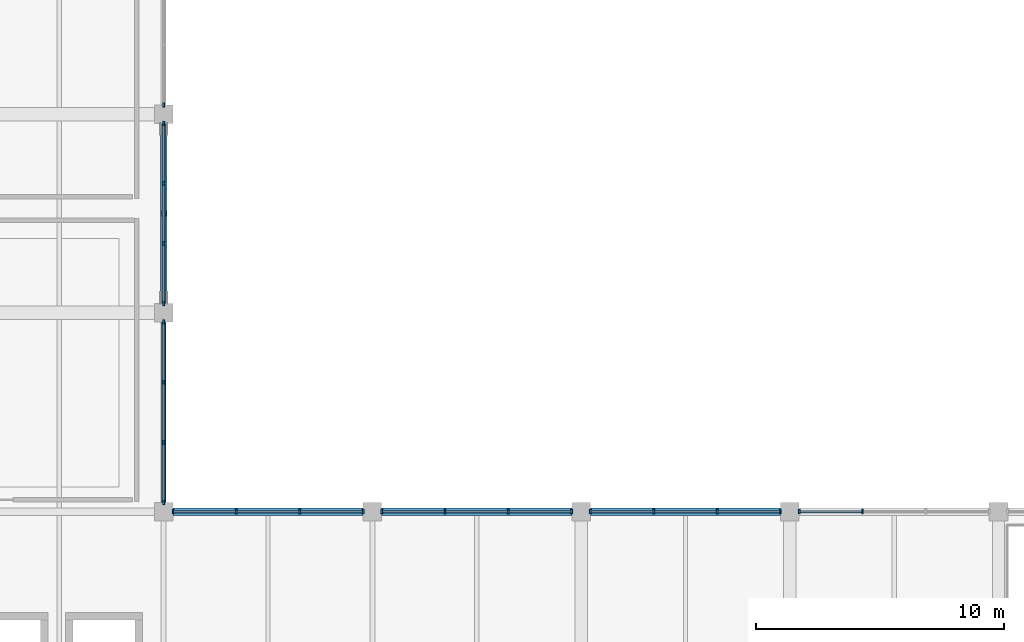
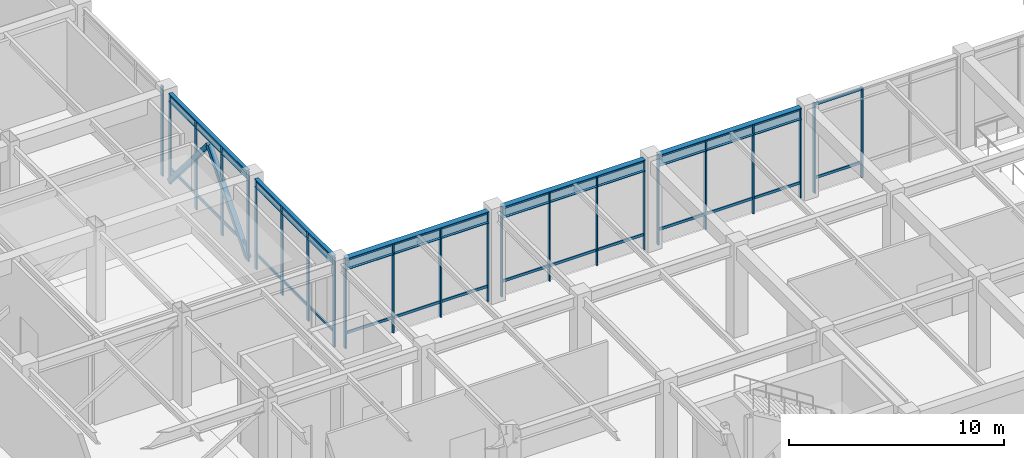
# One storey, part 27 of 79: 57 members, 5 beams, 7 elements without a shape of their own.
"""IFC4 building model written with IfcOpenShell, lengths in metres."""

from ifc_helpers import new_model, si_unit, direction, frame, origin, origin_2d, place, context, subcontext, project, spatial, rectangle, hollow_rectangle, i_section, extrude, material, layer, layer_set, material_profile, profile_set, type_object, element, aggregate, save


model = new_model("IFC4")

# Units and contexts
model_context = context("Model", 3, precision=1e-05, world=origin(), true_north=direction((0.0, 1.0)))
body_context = subcontext(model_context, "Body", "Model", "MODEL_VIEW")
ifc_project = project(units=[si_unit("LENGTHUNIT", "METRE"), si_unit("AREAUNIT", "SQUARE_METRE"), si_unit("VOLUMEUNIT", "CUBIC_METRE"), si_unit("PLANEANGLEUNIT", "RADIAN"), si_unit("MASSUNIT", "GRAM", prefix="KILO")], contexts=[model_context])

# Site, building, storey
site_placement = place(None, origin())
site = spatial("IfcSite", under=ifc_project, at=site_placement, CompositionType="ELEMENT")
building_placement = place(site_placement, origin())
building = spatial("IfcBuilding", under=site, at=building_placement, Name="Naruveol Harbour Congress Hotel", CompositionType="ELEMENT")
storey_placement = place(building_placement, frame((0.0, 0.0, 6.0)))
storey = spatial("IfcBuildingStorey", under=building, at=storey_placement, Name="L01", CompositionType="ELEMENT", Elevation=6.0)

# Beams
ifc_material_1 = material(Name="Steel SN490", Category="steel")
ifc_material_profile_1 = material_profile(ifc_material_1, i_section(OverallWidth=0.300048828125, OverallDepth=0.64990234375, WebThickness=0.012939453125, FlangeThickness=0.02392578125, at=origin_2d()), Name="H-650x300x13x24")
ifc_profile_set_1 = profile_set([ifc_material_profile_1], Name="Steel SN490")
beam_type_1 = type_object("IfcBeamType", Name="STEEL ATRIUM TIE GIRDER H650", PredefinedType="BEAM", material=ifc_profile_set_1)
for number, where, z_axis, x_axis, name in (
    (1, (67.571044921875, 32.0, 4.824951171875), (1.0, 0.0, 0.0), (0.0, 1.0, 0.0), "Floor girder L02 SG2"),
    (2, (75.970947265625, 32.0, 4.824951171875), (1.0, 0.0, 0.0), (0.0, 1.0, 0.0), "Floor girder L02 SG2"),
    (3, (84.37109375, 32.0, 4.824951171875), (1.0, 0.0, 0.0), (0.0, 1.0, 0.0), "Floor girder L02 SG2"),
):
    element("IfcBeam", number, at=place(storey_placement, frame(where, z_axis=z_axis, x_axis=x_axis)), inside=storey, type_object=beam_type_1, Name=name, PredefinedType="BEAM", context=body_context, shape_type="SweptSolid", body=[
        extrude(i_section(OverallWidth=0.300048828125, OverallDepth=0.64990234375, WebThickness=0.012939453125, FlangeThickness=0.02392578125, at=origin_2d()), origin(), (0.0, 0.0, 1.0), 7.657958984375),
    ])

# Members
ifc_material_2 = material(Name="Steel SN490", Category="steel")
ifc_material_profile_2 = material_profile(ifc_material_2, hollow_rectangle(XDim=0.25, YDim=0.25, WallThickness=0.011962890625, at=origin_2d()), Name="SHS-250x250x12")
ifc_profile_set_2 = profile_set([ifc_material_profile_2], Name="Steel SN490")
member_type_1 = type_object("IfcMemberType", Name="STEEL LATERAL FRAME BRACE SHS250", PredefinedType="BRACE", material=ifc_profile_set_2)
for number, where, z_axis, x_axis, name in (
    (4, (67.199951171875, 40.364990234375, 0.159912109375), (0.0, 0.650866970807, 0.759191798107), (-1.0, 0.0, 0.0), "Lateral chevron brace L01 #15A"),
    (5, (67.199951171875, 47.635009765625, 0.159912109375), (0.0, -0.650866970807, 0.759191798107), (1.0, 0.0, 0.0), "Lateral chevron brace L01 #15B"),
):
    element("IfcMember", number, at=place(storey_placement, frame(where, z_axis=z_axis, x_axis=x_axis)), inside=storey, type_object=member_type_1, Name=name, PredefinedType="BRACE", context=body_context, shape_type="SweptSolid", body=[
        extrude(hollow_rectangle(XDim=0.25, YDim=0.25, WallThickness=0.011962890625, at=origin_2d()), origin(), (0.0, 0.0, 1.0), 5.5849609375),
    ])

# Beams
ifc_material_3 = material(Name="Steel SN490", Category="steel")
ifc_material_profile_3 = material_profile(ifc_material_3, i_section(OverallWidth=0.199951171875, OverallDepth=0.449951171875, WebThickness=0.009033203125, FlangeThickness=0.013916015625, at=origin_2d()), Name="H-450x200x9x14")
ifc_profile_set_3 = profile_set([ifc_material_profile_3], Name="Steel SN490")
beam_type_2 = type_object("IfcBeamType", Name="STEEL SPANDREL EDGE BEAM H450", PredefinedType="SPANDREL", material=ifc_profile_set_3)
for number, where, z_axis, x_axis, name in (
    (6, (67.199951171875, 32.37109375, 4.925048828125), (0.0, 1.0, 0.0), (-1.0, 0.0, 0.0), "Transverse girder L02 SPB2"),
    (7, (67.199951171875, 40.37109375, 4.925048828125), (0.0, 1.0, 0.0), (-1.0, 0.0, 0.0), "Transverse girder L02 SPB2"),
):
    element("IfcBeam", number, at=place(storey_placement, frame(where, z_axis=z_axis, x_axis=x_axis)), inside=storey, type_object=beam_type_2, Name=name, PredefinedType="SPANDREL", context=body_context, shape_type="SweptSolid", body=[
        extrude(i_section(OverallWidth=0.199951171875, OverallDepth=0.449951171875, WebThickness=0.009033203125, FlangeThickness=0.013916015625, at=origin_2d()), origin(), (0.0, 0.0, 1.0), 7.2578125),
    ])

# Curtain wall, members
ifc_material_4 = material(Name="Low-E Curtain Wall System", Category="glass")
ifc_layer_1 = layer(ifc_material_4, 0.179931640625)
ifc_layer_set_1 = layer_set([ifc_layer_1], Name="Low-E Curtain Wall System")
curtain_wall_type_1 = type_object("IfcCurtainWallType", Name="UNITISED CURTAIN WALL CW-CTS-35 7650X5100", PredefinedType="USERDEFINED", material=ifc_layer_set_1)
curtain_wall_1_placement = place(storey_placement, origin())
curtain_wall_1 = element("IfcCurtainWall", 8, at=curtain_wall_1_placement, inside=storey, type_object=curtain_wall_type_1, Name="Unitised curtain wall CW-CTS-35 L01", ObjectType="UNITISED GLAZING", PredefinedType="USERDEFINED")
ifc_material_5 = material(Name="Anodised Aluminium 6063-T6", Category="aluminium")
ifc_material_profile_4 = material_profile(ifc_material_5, rectangle(XDim=0.074951171875, YDim=0.179931640625, at=origin_2d()), Name="ALU-75x180")
ifc_profile_set_4 = profile_set([ifc_material_profile_4], Name="Anodised Aluminium 6063-T6")
member_type_2 = type_object("IfcMemberType", Name="THERMAL ALUMINIUM MULLION 75X180", PredefinedType="MULLION", material=ifc_profile_set_4)
member_1_placement = place(storey_placement, frame((67.574951171875, 32.0, 0.0), z_axis=(0.0, 0.0, 1.0), x_axis=(1.0, 0.0, 0.0)))
member_1 = element("IfcMember", 9, at=member_1_placement, type_object=member_type_2, Name="Curtain wall mullion CW-L01-0079-M0", PredefinedType="MULLION", context=body_context, shape_type="SweptSolid", body=[
    extrude(rectangle(XDim=0.074951171875, YDim=0.179931640625, at=origin_2d()), origin(), (0.0, 0.0, 1.0), 5.10009765625),
])
member_2_placement = place(storey_placement, frame((70.125, 32.0, 0.0), z_axis=(0.0, 0.0, 1.0), x_axis=(1.0, 0.0, 0.0)))
member_2 = element("IfcMember", 10, at=member_2_placement, type_object=member_type_2, Name="Curtain wall mullion CW-L01-0079-M1", PredefinedType="MULLION", context=body_context, shape_type="SweptSolid", body=[
    extrude(rectangle(XDim=0.074951171875, YDim=0.179931640625, at=origin_2d()), origin(), (0.0, 0.0, 1.0), 5.10009765625),
])
member_3_placement = place(storey_placement, frame((72.675048828125, 32.0, 0.0), z_axis=(0.0, 0.0, 1.0), x_axis=(1.0, 0.0, 0.0)))
member_3 = element("IfcMember", 11, at=member_3_placement, type_object=member_type_2, Name="Curtain wall mullion CW-L01-0079-M2", PredefinedType="MULLION", context=body_context, shape_type="SweptSolid", body=[
    extrude(rectangle(XDim=0.074951171875, YDim=0.179931640625, at=origin_2d()), origin(), (0.0, 0.0, 1.0), 5.10009765625),
])
member_4_placement = place(storey_placement, frame((75.22509765625, 32.0, 0.0), z_axis=(0.0, 0.0, 1.0), x_axis=(1.0, 0.0, 0.0)))
member_4 = element("IfcMember", 12, at=member_4_placement, type_object=member_type_2, Name="Curtain wall mullion CW-L01-0079-M3", PredefinedType="MULLION", context=body_context, shape_type="SweptSolid", body=[
    extrude(rectangle(XDim=0.074951171875, YDim=0.179931640625, at=origin_2d()), origin(), (0.0, 0.0, 1.0), 5.10009765625),
])

curtain_wall_2_placement = place(storey_placement, origin())
curtain_wall_2 = element("IfcCurtainWall", 13, at=curtain_wall_2_placement, inside=storey, type_object=curtain_wall_type_1, Name="Unitised curtain wall CW-CTS-35 L01", ObjectType="UNITISED GLAZING", PredefinedType="USERDEFINED")
member_5_placement = place(storey_placement, frame((75.97509765625, 32.0, 0.0), z_axis=(0.0, 0.0, 1.0), x_axis=(1.0, 0.0, 0.0)))
member_5 = element("IfcMember", 14, at=member_5_placement, type_object=member_type_2, Name="Curtain wall mullion CW-L01-0081-M0", PredefinedType="MULLION", context=body_context, shape_type="SweptSolid", body=[
    extrude(rectangle(XDim=0.074951171875, YDim=0.179931640625, at=origin_2d()), origin(), (0.0, 0.0, 1.0), 5.10009765625),
])
member_6_placement = place(storey_placement, frame((78.52490234375, 32.0, 0.0), z_axis=(0.0, 0.0, 1.0), x_axis=(1.0, 0.0, 0.0)))
member_6 = element("IfcMember", 15, at=member_6_placement, type_object=member_type_2, Name="Curtain wall mullion CW-L01-0081-M1", PredefinedType="MULLION", context=body_context, shape_type="SweptSolid", body=[
    extrude(rectangle(XDim=0.074951171875, YDim=0.179931640625, at=origin_2d()), origin(), (0.0, 0.0, 1.0), 5.10009765625),
])
member_7_placement = place(storey_placement, frame((81.074951171875, 32.0, 0.0), z_axis=(0.0, 0.0, 1.0), x_axis=(1.0, 0.0, 0.0)))
member_7 = element("IfcMember", 16, at=member_7_placement, type_object=member_type_2, Name="Curtain wall mullion CW-L01-0081-M2", PredefinedType="MULLION", context=body_context, shape_type="SweptSolid", body=[
    extrude(rectangle(XDim=0.074951171875, YDim=0.179931640625, at=origin_2d()), origin(), (0.0, 0.0, 1.0), 5.10009765625),
])
member_8_placement = place(storey_placement, frame((83.625, 32.0, 0.0), z_axis=(0.0, 0.0, 1.0), x_axis=(1.0, 0.0, 0.0)))
member_8 = element("IfcMember", 17, at=member_8_placement, type_object=member_type_2, Name="Curtain wall mullion CW-L01-0081-M3", PredefinedType="MULLION", context=body_context, shape_type="SweptSolid", body=[
    extrude(rectangle(XDim=0.074951171875, YDim=0.179931640625, at=origin_2d()), origin(), (0.0, 0.0, 1.0), 5.10009765625),
])

curtain_wall_3_placement = place(storey_placement, origin())
curtain_wall_3 = element("IfcCurtainWall", 18, at=curtain_wall_3_placement, inside=storey, type_object=curtain_wall_type_1, Name="Unitised curtain wall CW-CTS-35 L01", ObjectType="UNITISED GLAZING", PredefinedType="USERDEFINED")
member_9_placement = place(storey_placement, frame((84.375, 32.0, 0.0), z_axis=(0.0, 0.0, 1.0), x_axis=(1.0, 0.0, 0.0)))
member_9 = element("IfcMember", 19, at=member_9_placement, type_object=member_type_2, Name="Curtain wall mullion CW-L01-0083-M0", PredefinedType="MULLION", context=body_context, shape_type="SweptSolid", body=[
    extrude(rectangle(XDim=0.074951171875, YDim=0.179931640625, at=origin_2d()), origin(), (0.0, 0.0, 1.0), 5.10009765625),
])
member_10_placement = place(storey_placement, frame((86.925048828125, 32.0, 0.0), z_axis=(0.0, 0.0, 1.0), x_axis=(1.0, 0.0, 0.0)))
member_10 = element("IfcMember", 20, at=member_10_placement, type_object=member_type_2, Name="Curtain wall mullion CW-L01-0083-M1", PredefinedType="MULLION", context=body_context, shape_type="SweptSolid", body=[
    extrude(rectangle(XDim=0.074951171875, YDim=0.179931640625, at=origin_2d()), origin(), (0.0, 0.0, 1.0), 5.10009765625),
])
member_11_placement = place(storey_placement, frame((89.47509765625, 32.0, 0.0), z_axis=(0.0, 0.0, 1.0), x_axis=(1.0, 0.0, 0.0)))
member_11 = element("IfcMember", 21, at=member_11_placement, type_object=member_type_2, Name="Curtain wall mullion CW-L01-0083-M2", PredefinedType="MULLION", context=body_context, shape_type="SweptSolid", body=[
    extrude(rectangle(XDim=0.074951171875, YDim=0.179931640625, at=origin_2d()), origin(), (0.0, 0.0, 1.0), 5.10009765625),
])
member_12_placement = place(storey_placement, frame((92.02490234375, 32.0, 0.0), z_axis=(0.0, 0.0, 1.0), x_axis=(1.0, 0.0, 0.0)))
member_12 = element("IfcMember", 22, at=member_12_placement, type_object=member_type_2, Name="Curtain wall mullion CW-L01-0083-M3", PredefinedType="MULLION", context=body_context, shape_type="SweptSolid", body=[
    extrude(rectangle(XDim=0.074951171875, YDim=0.179931640625, at=origin_2d()), origin(), (0.0, 0.0, 1.0), 5.10009765625),
])

curtain_wall_4_placement = place(storey_placement, origin())
curtain_wall_4 = element("IfcCurtainWall", 23, at=curtain_wall_4_placement, inside=storey, type_object=curtain_wall_type_1, Name="Unitised curtain wall CW-CTS-35 L01", ObjectType="UNITISED GLAZING", PredefinedType="USERDEFINED")
member_13_placement = place(storey_placement, frame((92.77490234375, 32.0, 0.0), z_axis=(0.0, 0.0, 1.0), x_axis=(1.0, 0.0, 0.0)))
member_13 = element("IfcMember", 24, at=member_13_placement, type_object=member_type_2, Name="Curtain wall mullion CW-L01-0085-M0", PredefinedType="MULLION", context=body_context, shape_type="SweptSolid", body=[
    extrude(rectangle(XDim=0.074951171875, YDim=0.179931640625, at=origin_2d()), origin(), (0.0, 0.0, 1.0), 5.10009765625),
])
member_14_placement = place(storey_placement, frame((95.324951171875, 32.0, 0.0), z_axis=(0.0, 0.0, 1.0), x_axis=(1.0, 0.0, 0.0)))
member_14 = element("IfcMember", 25, at=member_14_placement, type_object=member_type_2, Name="Curtain wall mullion CW-L01-0085-M1", PredefinedType="MULLION", context=body_context, shape_type="SweptSolid", body=[
    extrude(rectangle(XDim=0.074951171875, YDim=0.179931640625, at=origin_2d()), origin(), (0.0, 0.0, 1.0), 5.10009765625),
])

ifc_material_6 = material(Name="Low-E Curtain Wall System", Category="glass")
ifc_layer_2 = layer(ifc_material_6, 0.179931640625)
ifc_layer_set_2 = layer_set([ifc_layer_2], Name="Low-E Curtain Wall System")
curtain_wall_type_2 = type_object("IfcCurtainWallType", Name="UNITISED CURTAIN WALL CW-CTW-36 7250X5100", PredefinedType="USERDEFINED", material=ifc_layer_set_2)
curtain_wall_5_placement = place(storey_placement, origin())
curtain_wall_5 = element("IfcCurtainWall", 26, at=curtain_wall_5_placement, inside=storey, type_object=curtain_wall_type_2, Name="Unitised curtain wall CW-CTW-36 L01", ObjectType="UNITISED GLAZING", PredefinedType="USERDEFINED")
member_15_placement = place(storey_placement, frame((67.199951171875, 32.375, 0.0), z_axis=(0.0, 0.0, 1.0), x_axis=(1.0, 0.0, 0.0)))
member_15 = element("IfcMember", 27, at=member_15_placement, type_object=member_type_2, Name="Curtain wall mullion CW-L01-0088-M0", PredefinedType="MULLION", context=body_context, shape_type="SweptSolid", body=[
    extrude(rectangle(XDim=0.074951171875, YDim=0.179931640625, at=origin_2d()), origin(), (0.0, 0.0, 1.0), 5.10009765625),
])
member_16_placement = place(storey_placement, frame((67.199951171875, 34.791748046875, 0.0), z_axis=(0.0, 0.0, 1.0), x_axis=(1.0, 0.0, 0.0)))
member_16 = element("IfcMember", 28, at=member_16_placement, type_object=member_type_2, Name="Curtain wall mullion CW-L01-0088-M1", PredefinedType="MULLION", context=body_context, shape_type="SweptSolid", body=[
    extrude(rectangle(XDim=0.074951171875, YDim=0.179931640625, at=origin_2d()), origin(), (0.0, 0.0, 1.0), 5.10009765625),
])
member_17_placement = place(storey_placement, frame((67.199951171875, 37.208251953125, 0.0), z_axis=(0.0, 0.0, 1.0), x_axis=(1.0, 0.0, 0.0)))
member_17 = element("IfcMember", 29, at=member_17_placement, type_object=member_type_2, Name="Curtain wall mullion CW-L01-0088-M2", PredefinedType="MULLION", context=body_context, shape_type="SweptSolid", body=[
    extrude(rectangle(XDim=0.074951171875, YDim=0.179931640625, at=origin_2d()), origin(), (0.0, 0.0, 1.0), 5.10009765625),
])
member_18_placement = place(storey_placement, frame((67.199951171875, 39.625, 0.0), z_axis=(0.0, 0.0, 1.0), x_axis=(1.0, 0.0, 0.0)))
member_18 = element("IfcMember", 30, at=member_18_placement, type_object=member_type_2, Name="Curtain wall mullion CW-L01-0088-M3", PredefinedType="MULLION", context=body_context, shape_type="SweptSolid", body=[
    extrude(rectangle(XDim=0.074951171875, YDim=0.179931640625, at=origin_2d()), origin(), (0.0, 0.0, 1.0), 5.10009765625),
])

curtain_wall_6_placement = place(storey_placement, origin())
curtain_wall_6 = element("IfcCurtainWall", 31, at=curtain_wall_6_placement, inside=storey, type_object=curtain_wall_type_2, Name="Unitised curtain wall CW-CTW-36 L01", ObjectType="UNITISED GLAZING", PredefinedType="USERDEFINED")
member_19_placement = place(storey_placement, frame((67.199951171875, 40.375, 0.0), z_axis=(0.0, 0.0, 1.0), x_axis=(1.0, 0.0, 0.0)))
member_19 = element("IfcMember", 32, at=member_19_placement, type_object=member_type_2, Name="Curtain wall mullion CW-L01-0090-M0", PredefinedType="MULLION", context=body_context, shape_type="SweptSolid", body=[
    extrude(rectangle(XDim=0.074951171875, YDim=0.179931640625, at=origin_2d()), origin(), (0.0, 0.0, 1.0), 5.10009765625),
])
member_20_placement = place(storey_placement, frame((67.199951171875, 42.791748046875, 0.0), z_axis=(0.0, 0.0, 1.0), x_axis=(1.0, 0.0, 0.0)))
member_20 = element("IfcMember", 33, at=member_20_placement, type_object=member_type_2, Name="Curtain wall mullion CW-L01-0090-M1", PredefinedType="MULLION", context=body_context, shape_type="SweptSolid", body=[
    extrude(rectangle(XDim=0.074951171875, YDim=0.179931640625, at=origin_2d()), origin(), (0.0, 0.0, 1.0), 5.10009765625),
])
member_21_placement = place(storey_placement, frame((67.199951171875, 45.208251953125, 0.0), z_axis=(0.0, 0.0, 1.0), x_axis=(1.0, 0.0, 0.0)))
member_21 = element("IfcMember", 34, at=member_21_placement, type_object=member_type_2, Name="Curtain wall mullion CW-L01-0090-M2", PredefinedType="MULLION", context=body_context, shape_type="SweptSolid", body=[
    extrude(rectangle(XDim=0.074951171875, YDim=0.179931640625, at=origin_2d()), origin(), (0.0, 0.0, 1.0), 5.10009765625),
])
member_22_placement = place(storey_placement, frame((67.199951171875, 47.625, 0.0), z_axis=(0.0, 0.0, 1.0), x_axis=(1.0, 0.0, 0.0)))
member_22 = element("IfcMember", 35, at=member_22_placement, type_object=member_type_2, Name="Curtain wall mullion CW-L01-0090-M3", PredefinedType="MULLION", context=body_context, shape_type="SweptSolid", body=[
    extrude(rectangle(XDim=0.074951171875, YDim=0.179931640625, at=origin_2d()), origin(), (0.0, 0.0, 1.0), 5.10009765625),
])

# Curtain wall, member
curtain_wall_7_placement = place(storey_placement, origin())
curtain_wall_7 = element("IfcCurtainWall", 36, at=curtain_wall_7_placement, inside=storey, type_object=curtain_wall_type_2, Name="Unitised curtain wall CW-CTW-36 L01", ObjectType="UNITISED GLAZING", PredefinedType="USERDEFINED")
member_23_placement = place(storey_placement, frame((67.199951171875, 48.375, 0.0), z_axis=(0.0, 0.0, 1.0), x_axis=(1.0, 0.0, 0.0)))
member_23 = element("IfcMember", 37, at=member_23_placement, type_object=member_type_2, Name="Curtain wall mullion CW-L01-0092-M0", PredefinedType="MULLION", context=body_context, shape_type="SweptSolid", body=[
    extrude(rectangle(XDim=0.074951171875, YDim=0.179931640625, at=origin_2d()), origin(), (0.0, 0.0, 1.0), 5.10009765625),
])
aggregate(curtain_wall_7, [member_23])

# Member
ifc_material_7 = material(Name="Anodised Aluminium 6063-T6", Category="aluminium")
ifc_material_profile_5 = material_profile(ifc_material_7, rectangle(XDim=0.074951171875, YDim=0.14990234375, at=origin_2d()), Name="ALU-75x150")
ifc_profile_set_5 = profile_set([ifc_material_profile_5], Name="Anodised Aluminium 6063-T6")
member_type_3 = type_object("IfcMemberType", Name="THERMAL ALUMINIUM TRANSOM 75X150", PredefinedType="USERDEFINED", material=ifc_profile_set_5)
member_24_placement = place(storey_placement, frame((67.614990234375, 32.0, 0.85009765625), z_axis=(1.0, 0.0, 0.0), x_axis=(0.0, 1.0, 0.0)))
member_24 = element("IfcMember", 38, at=member_24_placement, type_object=member_type_3, Name="Curtain wall transom CW-L01-0079-T0.1", ObjectType="TRANSOM", PredefinedType="USERDEFINED", context=body_context, shape_type="SweptSolid", body=[
    extrude(rectangle(XDim=0.074951171875, YDim=0.14990234375, at=origin_2d()), origin(), (0.0, 0.0, 1.0), 2.469970703125),
])

member_25_placement = place(storey_placement, frame((67.614990234375, 32.0, 5.02001953125), z_axis=(1.0, 0.0, 0.0), x_axis=(0.0, 1.0, 0.0)))
member_25 = element("IfcMember", 39, at=member_25_placement, type_object=member_type_3, Name="Curtain wall transom CW-L01-0079-T0.2", ObjectType="TRANSOM", PredefinedType="USERDEFINED", context=body_context, shape_type="SweptSolid", body=[
    extrude(rectangle(XDim=0.074951171875, YDim=0.14990234375, at=origin_2d()), origin(), (0.0, 0.0, 1.0), 2.469970703125),
])

member_26_placement = place(storey_placement, frame((70.1650390625, 32.0, 0.85009765625), z_axis=(1.0, 0.0, 0.0), x_axis=(0.0, 1.0, 0.0)))
member_26 = element("IfcMember", 40, at=member_26_placement, type_object=member_type_3, Name="Curtain wall transom CW-L01-0079-T1.1", ObjectType="TRANSOM", PredefinedType="USERDEFINED", context=body_context, shape_type="SweptSolid", body=[
    extrude(rectangle(XDim=0.074951171875, YDim=0.14990234375, at=origin_2d()), origin(), (0.0, 0.0, 1.0), 2.469970703125),
])

member_27_placement = place(storey_placement, frame((70.1650390625, 32.0, 5.02001953125), z_axis=(1.0, 0.0, 0.0), x_axis=(0.0, 1.0, 0.0)))
member_27 = element("IfcMember", 41, at=member_27_placement, type_object=member_type_3, Name="Curtain wall transom CW-L01-0079-T1.2", ObjectType="TRANSOM", PredefinedType="USERDEFINED", context=body_context, shape_type="SweptSolid", body=[
    extrude(rectangle(XDim=0.074951171875, YDim=0.14990234375, at=origin_2d()), origin(), (0.0, 0.0, 1.0), 2.469970703125),
])

member_28_placement = place(storey_placement, frame((72.715087890625, 32.0, 0.85009765625), z_axis=(1.0, 0.0, 0.0), x_axis=(0.0, 1.0, 0.0)))
member_28 = element("IfcMember", 42, at=member_28_placement, type_object=member_type_3, Name="Curtain wall transom CW-L01-0079-T2.1", ObjectType="TRANSOM", PredefinedType="USERDEFINED", context=body_context, shape_type="SweptSolid", body=[
    extrude(rectangle(XDim=0.074951171875, YDim=0.14990234375, at=origin_2d()), origin(), (0.0, 0.0, 1.0), 2.469970703125),
])

member_29_placement = place(storey_placement, frame((72.715087890625, 32.0, 5.02001953125), z_axis=(1.0, 0.0, 0.0), x_axis=(0.0, 1.0, 0.0)))
member_29 = element("IfcMember", 43, at=member_29_placement, type_object=member_type_3, Name="Curtain wall transom CW-L01-0079-T2.2", ObjectType="TRANSOM", PredefinedType="USERDEFINED", context=body_context, shape_type="SweptSolid", body=[
    extrude(rectangle(XDim=0.074951171875, YDim=0.14990234375, at=origin_2d()), origin(), (0.0, 0.0, 1.0), 2.469970703125),
])

aggregate(curtain_wall_1, [member_1, member_2, member_3, member_4, member_24, member_25, member_26, member_27, member_28, member_29])

member_30_placement = place(storey_placement, frame((76.014892578125, 32.0, 0.85009765625), z_axis=(1.0, 0.0, 0.0), x_axis=(0.0, 1.0, 0.0)))
member_30 = element("IfcMember", 44, at=member_30_placement, type_object=member_type_3, Name="Curtain wall transom CW-L01-0081-T0.1", ObjectType="TRANSOM", PredefinedType="USERDEFINED", context=body_context, shape_type="SweptSolid", body=[
    extrude(rectangle(XDim=0.074951171875, YDim=0.14990234375, at=origin_2d()), origin(), (0.0, 0.0, 1.0), 2.47021484375),
])

member_31_placement = place(storey_placement, frame((76.014892578125, 32.0, 5.02001953125), z_axis=(1.0, 0.0, 0.0), x_axis=(0.0, 1.0, 0.0)))
member_31 = element("IfcMember", 45, at=member_31_placement, type_object=member_type_3, Name="Curtain wall transom CW-L01-0081-T0.2", ObjectType="TRANSOM", PredefinedType="USERDEFINED", context=body_context, shape_type="SweptSolid", body=[
    extrude(rectangle(XDim=0.074951171875, YDim=0.14990234375, at=origin_2d()), origin(), (0.0, 0.0, 1.0), 2.47021484375),
])

member_32_placement = place(storey_placement, frame((78.56494140625, 32.0, 0.85009765625), z_axis=(1.0, 0.0, 0.0), x_axis=(0.0, 1.0, 0.0)))
member_32 = element("IfcMember", 46, at=member_32_placement, type_object=member_type_3, Name="Curtain wall transom CW-L01-0081-T1.1", ObjectType="TRANSOM", PredefinedType="USERDEFINED", context=body_context, shape_type="SweptSolid", body=[
    extrude(rectangle(XDim=0.074951171875, YDim=0.14990234375, at=origin_2d()), origin(), (0.0, 0.0, 1.0), 2.469970703125),
])

member_33_placement = place(storey_placement, frame((78.56494140625, 32.0, 5.02001953125), z_axis=(1.0, 0.0, 0.0), x_axis=(0.0, 1.0, 0.0)))
member_33 = element("IfcMember", 47, at=member_33_placement, type_object=member_type_3, Name="Curtain wall transom CW-L01-0081-T1.2", ObjectType="TRANSOM", PredefinedType="USERDEFINED", context=body_context, shape_type="SweptSolid", body=[
    extrude(rectangle(XDim=0.074951171875, YDim=0.14990234375, at=origin_2d()), origin(), (0.0, 0.0, 1.0), 2.469970703125),
])

member_34_placement = place(storey_placement, frame((81.114990234375, 32.0, 0.85009765625), z_axis=(1.0, 0.0, 0.0), x_axis=(0.0, 1.0, 0.0)))
member_34 = element("IfcMember", 48, at=member_34_placement, type_object=member_type_3, Name="Curtain wall transom CW-L01-0081-T2.1", ObjectType="TRANSOM", PredefinedType="USERDEFINED", context=body_context, shape_type="SweptSolid", body=[
    extrude(rectangle(XDim=0.074951171875, YDim=0.14990234375, at=origin_2d()), origin(), (0.0, 0.0, 1.0), 2.469970703125),
])

member_35_placement = place(storey_placement, frame((81.114990234375, 32.0, 5.02001953125), z_axis=(1.0, 0.0, 0.0), x_axis=(0.0, 1.0, 0.0)))
member_35 = element("IfcMember", 49, at=member_35_placement, type_object=member_type_3, Name="Curtain wall transom CW-L01-0081-T2.2", ObjectType="TRANSOM", PredefinedType="USERDEFINED", context=body_context, shape_type="SweptSolid", body=[
    extrude(rectangle(XDim=0.074951171875, YDim=0.14990234375, at=origin_2d()), origin(), (0.0, 0.0, 1.0), 2.469970703125),
])

aggregate(curtain_wall_2, [member_5, member_6, member_7, member_8, member_30, member_31, member_32, member_33, member_34, member_35])

member_36_placement = place(storey_placement, frame((84.4150390625, 32.0, 0.85009765625), z_axis=(1.0, 0.0, 0.0), x_axis=(0.0, 1.0, 0.0)))
member_36 = element("IfcMember", 50, at=member_36_placement, type_object=member_type_3, Name="Curtain wall transom CW-L01-0083-T0.1", ObjectType="TRANSOM", PredefinedType="USERDEFINED", context=body_context, shape_type="SweptSolid", body=[
    extrude(rectangle(XDim=0.074951171875, YDim=0.14990234375, at=origin_2d()), origin(), (0.0, 0.0, 1.0), 2.469970703125),
])

member_37_placement = place(storey_placement, frame((84.4150390625, 32.0, 5.02001953125), z_axis=(1.0, 0.0, 0.0), x_axis=(0.0, 1.0, 0.0)))
member_37 = element("IfcMember", 51, at=member_37_placement, type_object=member_type_3, Name="Curtain wall transom CW-L01-0083-T0.2", ObjectType="TRANSOM", PredefinedType="USERDEFINED", context=body_context, shape_type="SweptSolid", body=[
    extrude(rectangle(XDim=0.074951171875, YDim=0.14990234375, at=origin_2d()), origin(), (0.0, 0.0, 1.0), 2.469970703125),
])

member_38_placement = place(storey_placement, frame((86.965087890625, 32.0, 0.85009765625), z_axis=(1.0, 0.0, 0.0), x_axis=(0.0, 1.0, 0.0)))
member_38 = element("IfcMember", 52, at=member_38_placement, type_object=member_type_3, Name="Curtain wall transom CW-L01-0083-T1.1", ObjectType="TRANSOM", PredefinedType="USERDEFINED", context=body_context, shape_type="SweptSolid", body=[
    extrude(rectangle(XDim=0.074951171875, YDim=0.14990234375, at=origin_2d()), origin(), (0.0, 0.0, 1.0), 2.469970703125),
])

member_39_placement = place(storey_placement, frame((86.965087890625, 32.0, 5.02001953125), z_axis=(1.0, 0.0, 0.0), x_axis=(0.0, 1.0, 0.0)))
member_39 = element("IfcMember", 53, at=member_39_placement, type_object=member_type_3, Name="Curtain wall transom CW-L01-0083-T1.2", ObjectType="TRANSOM", PredefinedType="USERDEFINED", context=body_context, shape_type="SweptSolid", body=[
    extrude(rectangle(XDim=0.074951171875, YDim=0.14990234375, at=origin_2d()), origin(), (0.0, 0.0, 1.0), 2.469970703125),
])

member_40_placement = place(storey_placement, frame((89.514892578125, 32.0, 0.85009765625), z_axis=(1.0, 0.0, 0.0), x_axis=(0.0, 1.0, 0.0)))
member_40 = element("IfcMember", 54, at=member_40_placement, type_object=member_type_3, Name="Curtain wall transom CW-L01-0083-T2.1", ObjectType="TRANSOM", PredefinedType="USERDEFINED", context=body_context, shape_type="SweptSolid", body=[
    extrude(rectangle(XDim=0.074951171875, YDim=0.14990234375, at=origin_2d()), origin(), (0.0, 0.0, 1.0), 2.47021484375),
])

member_41_placement = place(storey_placement, frame((89.514892578125, 32.0, 5.02001953125), z_axis=(1.0, 0.0, 0.0), x_axis=(0.0, 1.0, 0.0)))
member_41 = element("IfcMember", 55, at=member_41_placement, type_object=member_type_3, Name="Curtain wall transom CW-L01-0083-T2.2", ObjectType="TRANSOM", PredefinedType="USERDEFINED", context=body_context, shape_type="SweptSolid", body=[
    extrude(rectangle(XDim=0.074951171875, YDim=0.14990234375, at=origin_2d()), origin(), (0.0, 0.0, 1.0), 2.47021484375),
])

aggregate(curtain_wall_3, [member_9, member_10, member_11, member_12, member_36, member_37, member_38, member_39, member_40, member_41])

member_42_placement = place(storey_placement, frame((92.81494140625, 32.0, 0.85009765625), z_axis=(1.0, 0.0, 0.0), x_axis=(0.0, 1.0, 0.0)))
member_42 = element("IfcMember", 56, at=member_42_placement, type_object=member_type_3, Name="Curtain wall transom CW-L01-0085-T0.1", ObjectType="TRANSOM", PredefinedType="USERDEFINED", context=body_context, shape_type="SweptSolid", body=[
    extrude(rectangle(XDim=0.074951171875, YDim=0.14990234375, at=origin_2d()), origin(), (0.0, 0.0, 1.0), 2.469970703125),
])

member_43_placement = place(storey_placement, frame((92.81494140625, 32.0, 5.02001953125), z_axis=(1.0, 0.0, 0.0), x_axis=(0.0, 1.0, 0.0)))
member_43 = element("IfcMember", 57, at=member_43_placement, type_object=member_type_3, Name="Curtain wall transom CW-L01-0085-T0.2", ObjectType="TRANSOM", PredefinedType="USERDEFINED", context=body_context, shape_type="SweptSolid", body=[
    extrude(rectangle(XDim=0.074951171875, YDim=0.14990234375, at=origin_2d()), origin(), (0.0, 0.0, 1.0), 2.469970703125),
])

aggregate(curtain_wall_4, [member_13, member_14, member_42, member_43])

member_44_placement = place(storey_placement, frame((67.199951171875, 32.4150390625, 0.85009765625), z_axis=(0.0, 1.0, 0.0), x_axis=(-1.0, 0.0, 0.0)))
member_44 = element("IfcMember", 58, at=member_44_placement, type_object=member_type_3, Name="Curtain wall transom CW-L01-0088-T0.1", ObjectType="TRANSOM", PredefinedType="USERDEFINED", context=body_context, shape_type="SweptSolid", body=[
    extrude(rectangle(XDim=0.074951171875, YDim=0.14990234375, at=origin_2d()), origin(), (0.0, 0.0, 1.0), 2.336669921875),
])

member_45_placement = place(storey_placement, frame((67.199951171875, 32.4150390625, 5.02001953125), z_axis=(0.0, 1.0, 0.0), x_axis=(-1.0, 0.0, 0.0)))
member_45 = element("IfcMember", 59, at=member_45_placement, type_object=member_type_3, Name="Curtain wall transom CW-L01-0088-T0.2", ObjectType="TRANSOM", PredefinedType="USERDEFINED", context=body_context, shape_type="SweptSolid", body=[
    extrude(rectangle(XDim=0.074951171875, YDim=0.14990234375, at=origin_2d()), origin(), (0.0, 0.0, 1.0), 2.336669921875),
])

member_46_placement = place(storey_placement, frame((67.199951171875, 34.831787109375, 0.85009765625), z_axis=(0.0, 1.0, 0.0), x_axis=(-1.0, 0.0, 0.0)))
member_46 = element("IfcMember", 60, at=member_46_placement, type_object=member_type_3, Name="Curtain wall transom CW-L01-0088-T1.1", ObjectType="TRANSOM", PredefinedType="USERDEFINED", context=body_context, shape_type="SweptSolid", body=[
    extrude(rectangle(XDim=0.074951171875, YDim=0.14990234375, at=origin_2d()), origin(), (0.0, 0.0, 1.0), 2.33642578125),
])

member_47_placement = place(storey_placement, frame((67.199951171875, 34.831787109375, 5.02001953125), z_axis=(0.0, 1.0, 0.0), x_axis=(-1.0, 0.0, 0.0)))
member_47 = element("IfcMember", 61, at=member_47_placement, type_object=member_type_3, Name="Curtain wall transom CW-L01-0088-T1.2", ObjectType="TRANSOM", PredefinedType="USERDEFINED", context=body_context, shape_type="SweptSolid", body=[
    extrude(rectangle(XDim=0.074951171875, YDim=0.14990234375, at=origin_2d()), origin(), (0.0, 0.0, 1.0), 2.33642578125),
])

member_48_placement = place(storey_placement, frame((67.199951171875, 37.248291015625, 0.85009765625), z_axis=(0.0, 1.0, 0.0), x_axis=(-1.0, 0.0, 0.0)))
member_48 = element("IfcMember", 62, at=member_48_placement, type_object=member_type_3, Name="Curtain wall transom CW-L01-0088-T2.1", ObjectType="TRANSOM", PredefinedType="USERDEFINED", context=body_context, shape_type="SweptSolid", body=[
    extrude(rectangle(XDim=0.074951171875, YDim=0.14990234375, at=origin_2d()), origin(), (0.0, 0.0, 1.0), 2.336669921875),
])

member_49_placement = place(storey_placement, frame((67.199951171875, 37.248291015625, 5.02001953125), z_axis=(0.0, 1.0, 0.0), x_axis=(-1.0, 0.0, 0.0)))
member_49 = element("IfcMember", 63, at=member_49_placement, type_object=member_type_3, Name="Curtain wall transom CW-L01-0088-T2.2", ObjectType="TRANSOM", PredefinedType="USERDEFINED", context=body_context, shape_type="SweptSolid", body=[
    extrude(rectangle(XDim=0.074951171875, YDim=0.14990234375, at=origin_2d()), origin(), (0.0, 0.0, 1.0), 2.336669921875),
])

aggregate(curtain_wall_5, [member_15, member_16, member_17, member_18, member_44, member_45, member_46, member_47, member_48, member_49])

member_50_placement = place(storey_placement, frame((67.199951171875, 40.4150390625, 0.85009765625), z_axis=(0.0, 1.0, 0.0), x_axis=(-1.0, 0.0, 0.0)))
member_50 = element("IfcMember", 64, at=member_50_placement, type_object=member_type_3, Name="Curtain wall transom CW-L01-0090-T0.1", ObjectType="TRANSOM", PredefinedType="USERDEFINED", context=body_context, shape_type="SweptSolid", body=[
    extrude(rectangle(XDim=0.074951171875, YDim=0.14990234375, at=origin_2d()), origin(), (0.0, 0.0, 1.0), 2.336669921875),
])

member_51_placement = place(storey_placement, frame((67.199951171875, 40.4150390625, 5.02001953125), z_axis=(0.0, 1.0, 0.0), x_axis=(-1.0, 0.0, 0.0)))
member_51 = element("IfcMember", 65, at=member_51_placement, type_object=member_type_3, Name="Curtain wall transom CW-L01-0090-T0.2", ObjectType="TRANSOM", PredefinedType="USERDEFINED", context=body_context, shape_type="SweptSolid", body=[
    extrude(rectangle(XDim=0.074951171875, YDim=0.14990234375, at=origin_2d()), origin(), (0.0, 0.0, 1.0), 2.336669921875),
])

member_52_placement = place(storey_placement, frame((67.199951171875, 42.831787109375, 0.85009765625), z_axis=(0.0, 1.0, 0.0), x_axis=(-1.0, 0.0, 0.0)))
member_52 = element("IfcMember", 66, at=member_52_placement, type_object=member_type_3, Name="Curtain wall transom CW-L01-0090-T1.1", ObjectType="TRANSOM", PredefinedType="USERDEFINED", context=body_context, shape_type="SweptSolid", body=[
    extrude(rectangle(XDim=0.074951171875, YDim=0.14990234375, at=origin_2d()), origin(), (0.0, 0.0, 1.0), 2.33642578125),
])

member_53_placement = place(storey_placement, frame((67.199951171875, 42.831787109375, 5.02001953125), z_axis=(0.0, 1.0, 0.0), x_axis=(-1.0, 0.0, 0.0)))
member_53 = element("IfcMember", 67, at=member_53_placement, type_object=member_type_3, Name="Curtain wall transom CW-L01-0090-T1.2", ObjectType="TRANSOM", PredefinedType="USERDEFINED", context=body_context, shape_type="SweptSolid", body=[
    extrude(rectangle(XDim=0.074951171875, YDim=0.14990234375, at=origin_2d()), origin(), (0.0, 0.0, 1.0), 2.33642578125),
])

member_54_placement = place(storey_placement, frame((67.199951171875, 45.248291015625, 0.85009765625), z_axis=(0.0, 1.0, 0.0), x_axis=(-1.0, 0.0, 0.0)))
member_54 = element("IfcMember", 68, at=member_54_placement, type_object=member_type_3, Name="Curtain wall transom CW-L01-0090-T2.1", ObjectType="TRANSOM", PredefinedType="USERDEFINED", context=body_context, shape_type="SweptSolid", body=[
    extrude(rectangle(XDim=0.074951171875, YDim=0.14990234375, at=origin_2d()), origin(), (0.0, 0.0, 1.0), 2.336669921875),
])

member_55_placement = place(storey_placement, frame((67.199951171875, 45.248291015625, 5.02001953125), z_axis=(0.0, 1.0, 0.0), x_axis=(-1.0, 0.0, 0.0)))
member_55 = element("IfcMember", 69, at=member_55_placement, type_object=member_type_3, Name="Curtain wall transom CW-L01-0090-T2.2", ObjectType="TRANSOM", PredefinedType="USERDEFINED", context=body_context, shape_type="SweptSolid", body=[
    extrude(rectangle(XDim=0.074951171875, YDim=0.14990234375, at=origin_2d()), origin(), (0.0, 0.0, 1.0), 2.336669921875),
])

aggregate(curtain_wall_6, [member_19, member_20, member_21, member_22, member_50, member_51, member_52, member_53, member_54, member_55])

save(model, "model.ifc")
